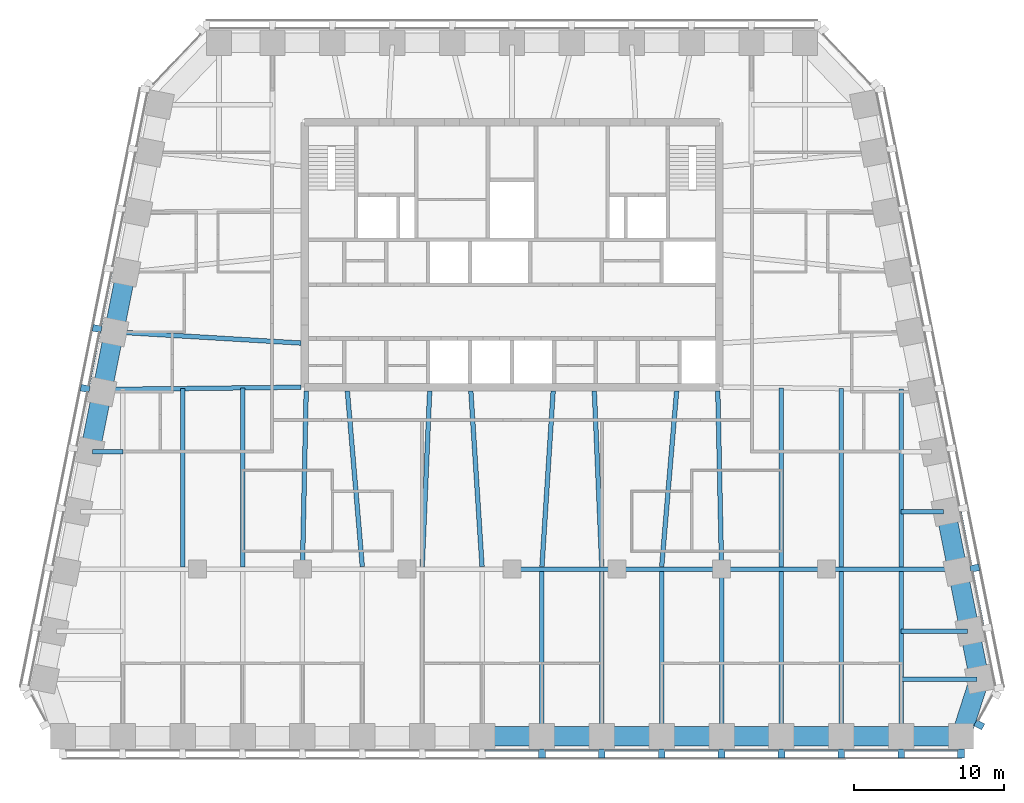
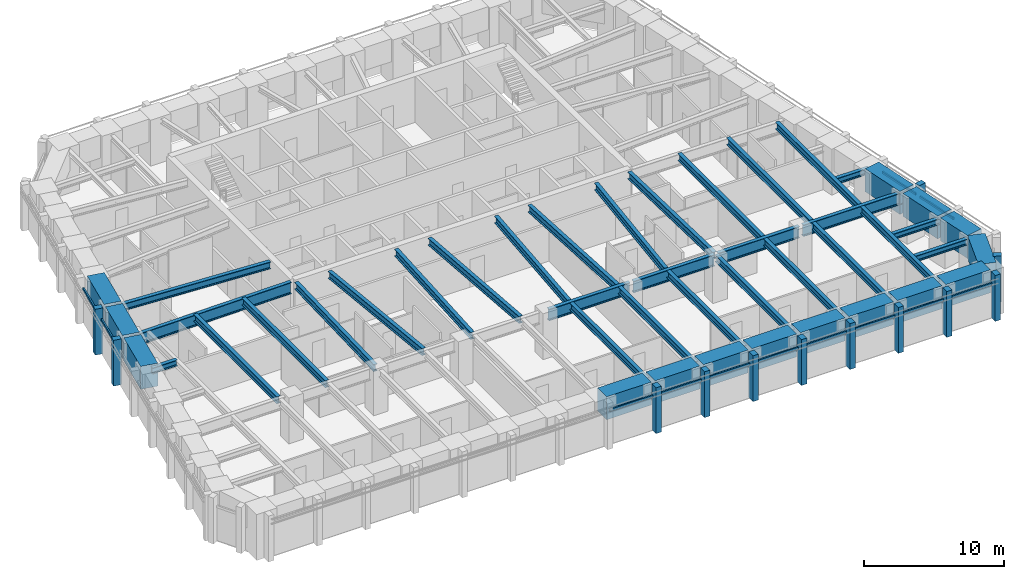
# One storey, part 2 of 11: 45 beams, 24 members, 4 elements without a shape of their own.
"""IFC4 building model written with IfcOpenShell, lengths in metres."""

from ifc_helpers import new_model, si_unit, direction, frame, origin, origin_2d, place, context, subcontext, project, spatial, rectangle, i_section, extrude, material, material_profile, profile_set, type_object, element, aggregate, save


model = new_model("IFC4")

# Units and contexts
model_context = context("Model", 3, precision=1e-05, world=origin(), true_north=direction((0.0, 1.0)))
body_context = subcontext(model_context, "Body", "Model", "MODEL_VIEW")
ifc_project = project(units=[si_unit("LENGTHUNIT", "METRE"), si_unit("AREAUNIT", "SQUARE_METRE"), si_unit("VOLUMEUNIT", "CUBIC_METRE"), si_unit("PLANEANGLEUNIT", "RADIAN"), si_unit("MASSUNIT", "GRAM", prefix="KILO")], contexts=[model_context])

# Site, building, storey
site_placement = place(None, origin())
site = spatial("IfcSite", under=ifc_project, at=site_placement, CompositionType="ELEMENT")
building_placement = place(site_placement, origin())
building = spatial("IfcBuilding", under=site, at=building_placement, Name="Isbrekke Arena Tower", CompositionType="ELEMENT")
storey_placement = place(building_placement, frame((0.0, 0.0, 248.0)))
storey = spatial("IfcBuildingStorey", under=building, at=storey_placement, Name="L57", CompositionType="ELEMENT", Elevation=248.0)

# Beams
ifc_material_1 = material(Name="Steel S355", Category="steel")
ifc_material_profile_1 = material_profile(ifc_material_1, i_section(OverallWidth=0.304931640625, OverallDepth=0.6201171875, WebThickness=0.02099609375, FlangeThickness=0.0400390625, FilletRadius=0.027099609375, at=origin_2d()), Name="HEM 600")
ifc_profile_set_1 = profile_set([ifc_material_profile_1], Name="Steel S355")
beam_type_1 = type_object("IfcBeamType", Name="B4 HEM 600", PredefinedType="BEAM", material=ifc_profile_set_1)
for number, where, z_axis, x_axis, name in (
    (1, (2.0, -17.02490234375, 3.5400390625), (0.0, 1.0, 0.0), (-1.0, 0.0, 0.0), "B4 beam S-S09 L57"),
    (2, (6.0, -17.02490234375, 3.5400390625), (0.0, 1.0, 0.0), (-1.0, 0.0, 0.0), "B4 beam S-S10 L57"),
    (3, (10.0, -17.02490234375, 3.5400390625), (0.0, 1.0, 0.0), (-1.0, 0.0, 0.0), "B4 beam S-S11 L57"),
):
    element("IfcBeam", number, at=place(storey_placement, frame(where, z_axis=z_axis, x_axis=x_axis)), inside=storey, type_object=beam_type_1, Name=name, PredefinedType="BEAM", context=body_context, shape_type="SweptSolid", body=[
        extrude(i_section(OverallWidth=0.304931640625, OverallDepth=0.6201171875, WebThickness=0.02099609375, FlangeThickness=0.0400390625, FilletRadius=0.027099609375, at=origin_2d()), origin(), (0.0, 0.0, 1.0), 10.8740234375),
    ])
beam_1_placement = place(storey_placement, frame((14.0, -17.02490234375, 3.5400390625), z_axis=(0.0, 1.0, 0.0), x_axis=(-1.0, 0.0, 0.0)))
element("IfcBeam", 4, at=beam_1_placement, inside=storey, type_object=beam_type_1, Name="B4 beam S-S12 L57", PredefinedType="BEAM", context=body_context, shape_type="SweptSolid", body=[
    extrude(i_section(OverallWidth=0.304931640625, OverallDepth=0.6201171875, WebThickness=0.02099609375, FlangeThickness=0.0400390625, FilletRadius=0.027099609375, at=origin_2d()), origin(), (0.0, 0.0, 1.0), 10.875),
])
for number, where, z_axis, x_axis, name in (
    (5, (18.0, -17.02490234375, 3.5400390625), (0.0, 1.0, 0.0), (-1.0, 0.0, 0.0), "B4 beam S-S13 L57"),
    (6, (22.0, -17.02490234375, 3.5400390625), (0.0, 1.0, 0.0), (-1.0, 0.0, 0.0), "B4 beam S-S14 L57"),
    (7, (26.0, -17.02490234375, 3.5400390625), (0.0, 1.0, 0.0), (-1.0, 0.0, 0.0), "B4 beam S-S15 L57"),
):
    element("IfcBeam", number, at=place(storey_placement, frame(where, z_axis=z_axis, x_axis=x_axis)), inside=storey, type_object=beam_type_1, Name=name, PredefinedType="BEAM", context=body_context, shape_type="SweptSolid", body=[
        extrude(i_section(OverallWidth=0.304931640625, OverallDepth=0.6201171875, WebThickness=0.02099609375, FlangeThickness=0.0400390625, FilletRadius=0.027099609375, at=origin_2d()), origin(), (0.0, 0.0, 1.0), 10.8740234375),
    ])
beam_2_placement = place(storey_placement, frame((-22.0, -5.84912109375, 3.5400390625), z_axis=(0.0, 1.0, 0.0), x_axis=(-1.0, 0.0, 0.0)))
element("IfcBeam", 8, at=beam_2_placement, inside=storey, type_object=beam_type_1, Name="B4 beam C-M02 L57", PredefinedType="BEAM", context=body_context, shape_type="SweptSolid", body=[
    extrude(i_section(OverallWidth=0.304931640625, OverallDepth=0.6201171875, WebThickness=0.02099609375, FlangeThickness=0.0400390625, FilletRadius=0.027099609375, at=origin_2d()), origin(), (0.0, 0.0, 1.0), 11.909912109375),
])
beam_3_placement = place(storey_placement, frame((-18.0, -5.84912109375, 3.5400390625), z_axis=(0.0, 1.0, 0.0), x_axis=(-1.0, 0.0, 0.0)))
element("IfcBeam", 9, at=beam_3_placement, inside=storey, type_object=beam_type_1, Name="B4 beam C-M03 L57", PredefinedType="BEAM", context=body_context, shape_type="SweptSolid", body=[
    extrude(i_section(OverallWidth=0.304931640625, OverallDepth=0.6201171875, WebThickness=0.02099609375, FlangeThickness=0.0400390625, FilletRadius=0.027099609375, at=origin_2d()), origin(), (0.0, 0.0, 1.0), 11.955078125),
])
beam_4_placement = place(storey_placement, frame((-14.0, -5.8466796875, 3.5400390625), z_axis=(0.021277968258, 0.999773598405, 0.0), x_axis=(-0.999773598405, 0.021277968258, 0.0)))
element("IfcBeam", 10, at=beam_4_placement, inside=storey, type_object=beam_type_1, Name="B4 beam C-M04 L57", PredefinedType="BEAM", context=body_context, shape_type="SweptSolid", body=[
    extrude(i_section(OverallWidth=0.304931640625, OverallDepth=0.6201171875, WebThickness=0.02099609375, FlangeThickness=0.0400390625, FilletRadius=0.027099609375, at=origin_2d()), origin(), (0.0, 0.0, 1.0), 11.749267578125),
])
beam_5_placement = place(storey_placement, frame((-10.0009765625, -5.836181640625, 3.5400390625), z_axis=(-0.084817344046, 0.996396516528, 0.0), x_axis=(-0.996396516528, -0.084817344046, 0.0)))
element("IfcBeam", 11, at=beam_5_placement, inside=storey, type_object=beam_type_1, Name="B4 beam C-M05 L57", PredefinedType="BEAM", context=body_context, shape_type="SweptSolid", body=[
    extrude(i_section(OverallWidth=0.304931640625, OverallDepth=0.6201171875, WebThickness=0.02099609375, FlangeThickness=0.0400390625, FilletRadius=0.027099609375, at=origin_2d()), origin(), (0.0, 0.0, 1.0), 11.778564453125),
])
beam_6_placement = place(storey_placement, frame((-5.999755859375, -5.842529296875, 3.5400390625), z_axis=(0.042521334166, 0.999095559064, 0.0), x_axis=(-0.999095559064, 0.042521334166, 0.0)))
element("IfcBeam", 12, at=beam_6_placement, inside=storey, type_object=beam_type_1, Name="B4 beam C-M06 L57", PredefinedType="BEAM", context=body_context, shape_type="SweptSolid", body=[
    extrude(i_section(OverallWidth=0.304931640625, OverallDepth=0.6201171875, WebThickness=0.02099609375, FlangeThickness=0.0400390625, FilletRadius=0.027099609375, at=origin_2d()), origin(), (0.0, 0.0, 1.0), 11.753173828125),
])
for number, where, z_axis, x_axis, name in (
    (13, (-2.000732421875, -5.83935546875, 3.5400390625), (-0.063696196046, 0.997969335506, 0.0), (-0.997969335506, -0.063696196046, 0.0), "B4 beam C-M07 L57"),
    (14, (2.000732421875, -5.83935546875, 3.5400390625), (0.063696196046, 0.997969335506, 0.0), (-0.997969335506, 0.063696196046, 0.0), "B4 beam C-M08 L57"),
):
    element("IfcBeam", number, at=place(storey_placement, frame(where, z_axis=z_axis, x_axis=x_axis)), inside=storey, type_object=beam_type_1, Name=name, PredefinedType="BEAM", context=body_context, shape_type="SweptSolid", body=[
        extrude(i_section(OverallWidth=0.304931640625, OverallDepth=0.6201171875, WebThickness=0.02099609375, FlangeThickness=0.0400390625, FilletRadius=0.027099609375, at=origin_2d()), origin(), (0.0, 0.0, 1.0), 11.76318359375),
    ])
beam_7_placement = place(storey_placement, frame((5.999755859375, -5.842529296875, 3.5400390625), z_axis=(-0.042521334166, 0.999095559064, 0.0), x_axis=(-0.999095559064, -0.042521334166, 0.0)))
element("IfcBeam", 15, at=beam_7_placement, inside=storey, type_object=beam_type_1, Name="B4 beam C-M09 L57", PredefinedType="BEAM", context=body_context, shape_type="SweptSolid", body=[
    extrude(i_section(OverallWidth=0.304931640625, OverallDepth=0.6201171875, WebThickness=0.02099609375, FlangeThickness=0.0400390625, FilletRadius=0.027099609375, at=origin_2d()), origin(), (0.0, 0.0, 1.0), 11.753173828125),
])
beam_8_placement = place(storey_placement, frame((10.0009765625, -5.836181640625, 3.5400390625), z_axis=(0.084817344046, 0.996396516528, 0.0), x_axis=(-0.996396516528, 0.084817344046, 0.0)))
element("IfcBeam", 16, at=beam_8_placement, inside=storey, type_object=beam_type_1, Name="B4 beam C-M10 L57", PredefinedType="BEAM", context=body_context, shape_type="SweptSolid", body=[
    extrude(i_section(OverallWidth=0.304931640625, OverallDepth=0.6201171875, WebThickness=0.02099609375, FlangeThickness=0.0400390625, FilletRadius=0.027099609375, at=origin_2d()), origin(), (0.0, 0.0, 1.0), 11.778564453125),
])
beam_9_placement = place(storey_placement, frame((14.0, -5.8466796875, 3.5400390625), z_axis=(-0.021277968258, 0.999773598405, 0.0), x_axis=(-0.999773598405, -0.021277968258, 0.0)))
element("IfcBeam", 17, at=beam_9_placement, inside=storey, type_object=beam_type_1, Name="B4 beam C-M11 L57", PredefinedType="BEAM", context=body_context, shape_type="SweptSolid", body=[
    extrude(i_section(OverallWidth=0.304931640625, OverallDepth=0.6201171875, WebThickness=0.02099609375, FlangeThickness=0.0400390625, FilletRadius=0.027099609375, at=origin_2d()), origin(), (0.0, 0.0, 1.0), 11.749267578125),
])
beam_10_placement = place(storey_placement, frame((18.0, -5.84912109375, 3.5400390625), z_axis=(0.0, 1.0, 0.0), x_axis=(-1.0, 0.0, 0.0)))
element("IfcBeam", 18, at=beam_10_placement, inside=storey, type_object=beam_type_1, Name="B4 beam C-M12 L57", PredefinedType="BEAM", context=body_context, shape_type="SweptSolid", body=[
    extrude(i_section(OverallWidth=0.304931640625, OverallDepth=0.6201171875, WebThickness=0.02099609375, FlangeThickness=0.0400390625, FilletRadius=0.027099609375, at=origin_2d()), origin(), (0.0, 0.0, 1.0), 11.955078125),
])
beam_11_placement = place(storey_placement, frame((22.0, -5.84912109375, 3.5400390625), z_axis=(0.0, 1.0, 0.0), x_axis=(-1.0, 0.0, 0.0)))
element("IfcBeam", 19, at=beam_11_placement, inside=storey, type_object=beam_type_1, Name="B4 beam C-M13 L57", PredefinedType="BEAM", context=body_context, shape_type="SweptSolid", body=[
    extrude(i_section(OverallWidth=0.304931640625, OverallDepth=0.6201171875, WebThickness=0.02099609375, FlangeThickness=0.0400390625, FilletRadius=0.027099609375, at=origin_2d()), origin(), (0.0, 0.0, 1.0), 11.909912109375),
])
beam_12_placement = place(storey_placement, frame((26.0, -5.84912109375, 3.5400390625), z_axis=(0.0, 1.0, 0.0), x_axis=(-1.0, 0.0, 0.0)))
element("IfcBeam", 20, at=beam_12_placement, inside=storey, type_object=beam_type_1, Name="B4 beam C-M14 L57", PredefinedType="BEAM", context=body_context, shape_type="SweptSolid", body=[
    extrude(i_section(OverallWidth=0.304931640625, OverallDepth=0.6201171875, WebThickness=0.02099609375, FlangeThickness=0.0400390625, FilletRadius=0.027099609375, at=origin_2d()), origin(), (0.0, 0.0, 1.0), 11.86474609375),
])
beam_13_placement = place(storey_placement, frame((-26.431884765625, 9.837646484375, 3.5400390625), z_axis=(0.998216240514, -0.059702070095, 0.0), x_axis=(0.059702070095, 0.998216240514, 0.0)))
element("IfcBeam", 21, at=beam_13_placement, inside=storey, type_object=beam_type_1, Name="B4 beam E-W05 L57", PredefinedType="BEAM", context=body_context, shape_type="SweptSolid", body=[
    extrude(i_section(OverallWidth=0.304931640625, OverallDepth=0.6201171875, WebThickness=0.02099609375, FlangeThickness=0.0400390625, FilletRadius=0.027099609375, at=origin_2d()), origin(), (0.0, 0.0, 1.0), 12.353759765625),
])
ifc_material_2 = material(Name="Steel S355", Category="steel")
ifc_material_profile_2 = material_profile(ifc_material_2, i_section(OverallWidth=0.305908203125, OverallDepth=0.52392578125, WebThickness=0.02099609375, FlangeThickness=0.0400390625, FilletRadius=0.027099609375, at=origin_2d()), Name="HEM 500")
ifc_profile_set_2 = profile_set([ifc_material_profile_2], Name="Steel S355")
beam_type_2 = type_object("IfcBeamType", Name="B5 HEM 500", PredefinedType="BEAM", material=ifc_profile_set_2)
beam_14_placement = place(storey_placement, frame((31.079345703125, -13.352783203125, 3.587890625), z_axis=(-1.0, 0.0, 0.0), x_axis=(0.0, -1.0, 0.0)))
element("IfcBeam", 22, at=beam_14_placement, inside=storey, type_object=beam_type_2, Name="B5 beam E-E01 L57", PredefinedType="BEAM", context=body_context, shape_type="SweptSolid", body=[
    extrude(i_section(OverallWidth=0.305908203125, OverallDepth=0.52392578125, WebThickness=0.02099609375, FlangeThickness=0.0400390625, FilletRadius=0.027099609375, at=origin_2d()), origin(), (0.0, 0.0, 1.0), 5.079345703125),
])
beam_15_placement = place(storey_placement, frame((30.44091796875, -10.161865234375, 3.587890625), z_axis=(-1.0, 0.0, 0.0), x_axis=(0.0, -1.0, 0.0)))
element("IfcBeam", 23, at=beam_15_placement, inside=storey, type_object=beam_type_2, Name="B5 beam E-E02 L57", PredefinedType="BEAM", context=body_context, shape_type="SweptSolid", body=[
    extrude(i_section(OverallWidth=0.305908203125, OverallDepth=0.52392578125, WebThickness=0.02099609375, FlangeThickness=0.0400390625, FilletRadius=0.027099609375, at=origin_2d()), origin(), (0.0, 0.0, 1.0), 4.44091796875),
])
beam_16_placement = place(storey_placement, frame((28.841064453125, -2.161865234375, 3.587890625), z_axis=(-1.0, 0.0, 0.0), x_axis=(0.0, -1.0, 0.0)))
element("IfcBeam", 24, at=beam_16_placement, inside=storey, type_object=beam_type_2, Name="B5 beam E-E04 L57", PredefinedType="BEAM", context=body_context, shape_type="SweptSolid", body=[
    extrude(i_section(OverallWidth=0.305908203125, OverallDepth=0.52392578125, WebThickness=0.02099609375, FlangeThickness=0.0400390625, FilletRadius=0.027099609375, at=origin_2d()), origin(), (0.0, 0.0, 1.0), 2.841064453125),
])
beam_17_placement = place(storey_placement, frame((-28.041015625, 1.838134765625, 3.587890625), z_axis=(1.0, 0.0, 0.0), x_axis=(0.0, 1.0, 0.0)))
element("IfcBeam", 25, at=beam_17_placement, inside=storey, type_object=beam_type_2, Name="B5 beam E-W07 L57", PredefinedType="BEAM", context=body_context, shape_type="SweptSolid", body=[
    extrude(i_section(OverallWidth=0.305908203125, OverallDepth=0.52392578125, WebThickness=0.02099609375, FlangeThickness=0.0400390625, FilletRadius=0.027099609375, at=origin_2d()), origin(), (0.0, 0.0, 1.0), 2.041015625),
])

# Curtain wall, members
ifc_material_3 = material(Name="Glazed aluminium curtain wall", Category="aluminium")
curtain_wall_type = type_object("IfcCurtainWallType", Name="CWT TOWER CURTAIN WALL TOP ZONE", PredefinedType="USERDEFINED", material=ifc_material_3)
curtain_wall_1_placement = place(storey_placement, origin())
curtain_wall_1 = element("IfcCurtainWall", 26, at=curtain_wall_1_placement, inside=storey, type_object=curtain_wall_type, Name="CWT curtain wall L57-S", ObjectType="TOWER CURTAIN WALL TOP ZONE", PredefinedType="USERDEFINED")
ifc_material_4 = material(Name="Copper-clad aluminium mullion", Category="aluminium")
ifc_material_profile_3 = material_profile(ifc_material_4, rectangle(XDim=0.449951171875, YDim=0.60009765625, at=origin_2d()), Name="PIER 450X600")
ifc_profile_set_3 = profile_set([ifc_material_profile_3], Name="Copper-clad aluminium mullion")
member_type_1 = type_object("IfcMemberType", Name="CWT-M PIER MULLION 450 x 600", PredefinedType="MULLION", material=ifc_profile_set_3)
member_1_placement = place(storey_placement, frame((2.0, -18.324951171875, 0.0), z_axis=(0.0, 0.0, 1.0), x_axis=(1.0, 0.0, 0.0)))
member_1 = element("IfcMember", 27, at=member_1_placement, type_object=member_type_1, Name="CWT-M mullion 9", PredefinedType="MULLION", context=body_context, shape_type="SweptSolid", body=[
    extrude(rectangle(XDim=0.449951171875, YDim=0.60009765625, at=origin_2d()), origin(), (0.0, 0.0, 1.0), 4.0),
])
member_2_placement = place(storey_placement, frame((6.0, -18.324951171875, 0.0), z_axis=(0.0, 0.0, 1.0), x_axis=(1.0, 0.0, 0.0)))
member_2 = element("IfcMember", 28, at=member_2_placement, type_object=member_type_1, Name="CWT-M mullion 10", PredefinedType="MULLION", context=body_context, shape_type="SweptSolid", body=[
    extrude(rectangle(XDim=0.449951171875, YDim=0.60009765625, at=origin_2d()), origin(), (0.0, 0.0, 1.0), 4.0),
])
member_3_placement = place(storey_placement, frame((10.0, -18.324951171875, 0.0), z_axis=(0.0, 0.0, 1.0), x_axis=(1.0, 0.0, 0.0)))
member_3 = element("IfcMember", 29, at=member_3_placement, type_object=member_type_1, Name="CWT-M mullion 11", PredefinedType="MULLION", context=body_context, shape_type="SweptSolid", body=[
    extrude(rectangle(XDim=0.449951171875, YDim=0.60009765625, at=origin_2d()), origin(), (0.0, 0.0, 1.0), 4.0),
])
member_4_placement = place(storey_placement, frame((14.0, -18.324951171875, 0.0), z_axis=(0.0, 0.0, 1.0), x_axis=(1.0, 0.0, 0.0)))
member_4 = element("IfcMember", 30, at=member_4_placement, type_object=member_type_1, Name="CWT-M mullion 12", PredefinedType="MULLION", context=body_context, shape_type="SweptSolid", body=[
    extrude(rectangle(XDim=0.449951171875, YDim=0.60009765625, at=origin_2d()), origin(), (0.0, 0.0, 1.0), 4.0),
])
member_5_placement = place(storey_placement, frame((18.0, -18.324951171875, 0.0), z_axis=(0.0, 0.0, 1.0), x_axis=(1.0, 0.0, 0.0)))
member_5 = element("IfcMember", 31, at=member_5_placement, type_object=member_type_1, Name="CWT-M mullion 13", PredefinedType="MULLION", context=body_context, shape_type="SweptSolid", body=[
    extrude(rectangle(XDim=0.449951171875, YDim=0.60009765625, at=origin_2d()), origin(), (0.0, 0.0, 1.0), 4.0),
])
member_6_placement = place(storey_placement, frame((22.0, -18.324951171875, 0.0), z_axis=(0.0, 0.0, 1.0), x_axis=(1.0, 0.0, 0.0)))
member_6 = element("IfcMember", 32, at=member_6_placement, type_object=member_type_1, Name="CWT-M mullion 14", PredefinedType="MULLION", context=body_context, shape_type="SweptSolid", body=[
    extrude(rectangle(XDim=0.449951171875, YDim=0.60009765625, at=origin_2d()), origin(), (0.0, 0.0, 1.0), 4.0),
])
member_7_placement = place(storey_placement, frame((26.0, -18.324951171875, 0.0), z_axis=(0.0, 0.0, 1.0), x_axis=(1.0, 0.0, 0.0)))
member_7 = element("IfcMember", 33, at=member_7_placement, type_object=member_type_1, Name="CWT-M mullion 15", PredefinedType="MULLION", context=body_context, shape_type="SweptSolid", body=[
    extrude(rectangle(XDim=0.449951171875, YDim=0.60009765625, at=origin_2d()), origin(), (0.0, 0.0, 1.0), 4.0),
])
member_8_placement = place(storey_placement, frame((30.0, -18.324951171875, 0.0), z_axis=(0.0, 0.0, 1.0), x_axis=(1.0, 0.0, 0.0)))
member_8 = element("IfcMember", 34, at=member_8_placement, type_object=member_type_1, Name="CWT-M mullion 16", PredefinedType="MULLION", context=body_context, shape_type="SweptSolid", body=[
    extrude(rectangle(XDim=0.449951171875, YDim=0.60009765625, at=origin_2d()), origin(), (0.0, 0.0, 1.0), 4.0),
])

# Curtain wall, member
curtain_wall_2_placement = place(storey_placement, origin())
curtain_wall_2 = element("IfcCurtainWall", 35, at=curtain_wall_2_placement, inside=storey, type_object=curtain_wall_type, Name="CWT curtain wall L57-SE", ObjectType="TOWER CURTAIN WALL TOP ZONE", PredefinedType="USERDEFINED")
member_9_placement = place(storey_placement, frame((31.218994140625, -16.406005859375, 0.0), z_axis=(0.0, 0.0, 1.0), x_axis=(0.481918749773, 0.876215908676, 0.0)))
member_9 = element("IfcMember", 36, at=member_9_placement, type_object=member_type_1, Name="CWT-M mullion 1", PredefinedType="MULLION", context=body_context, shape_type="SweptSolid", body=[
    extrude(rectangle(XDim=0.449951171875, YDim=0.60009765625, at=origin_2d()), origin(), (0.0, 0.0, 1.0), 4.0),
])
aggregate(curtain_wall_2, [member_9])

curtain_wall_3_placement = place(storey_placement, origin())
curtain_wall_3 = element("IfcCurtainWall", 37, at=curtain_wall_3_placement, inside=storey, type_object=curtain_wall_type, Name="CWT curtain wall L57-E", ObjectType="TOWER CURTAIN WALL TOP ZONE", PredefinedType="USERDEFINED")
member_10_placement = place(storey_placement, frame((30.918701171875, -5.936279296875, 0.0), z_axis=(0.0, 0.0, 1.0), x_axis=(-0.196116135138, 0.980580675691, 0.0)))
member_10 = element("IfcMember", 38, at=member_10_placement, type_object=member_type_1, Name="CWT-M mullion 3", PredefinedType="MULLION", context=body_context, shape_type="SweptSolid", body=[
    extrude(rectangle(XDim=0.449951171875, YDim=0.60009765625, at=origin_2d()), origin(), (0.0, 0.0, 1.0), 4.0),
])

# Curtain wall, members
curtain_wall_4_placement = place(storey_placement, origin())
curtain_wall_4 = element("IfcCurtainWall", 39, at=curtain_wall_4_placement, inside=storey, type_object=curtain_wall_type, Name="CWT curtain wall L57-W", ObjectType="TOWER CURTAIN WALL TOP ZONE", PredefinedType="USERDEFINED")
member_11_placement = place(storey_placement, frame((-27.71875, 10.063720703125, 0.0), z_axis=(0.0, 0.0, 1.0), x_axis=(-0.196116135138, -0.980580675691, 0.0)))
member_11 = element("IfcMember", 40, at=member_11_placement, type_object=member_type_1, Name="CWT-M mullion 5", PredefinedType="MULLION", context=body_context, shape_type="SweptSolid", body=[
    extrude(rectangle(XDim=0.449951171875, YDim=0.60009765625, at=origin_2d()), origin(), (0.0, 0.0, 1.0), 4.0),
])
member_12_placement = place(storey_placement, frame((-28.518798828125, 6.063720703125, 0.0), z_axis=(0.0, 0.0, 1.0), x_axis=(-0.196116135138, -0.980580675691, 0.0)))
member_12 = element("IfcMember", 41, at=member_12_placement, type_object=member_type_1, Name="CWT-M mullion 6", PredefinedType="MULLION", context=body_context, shape_type="SweptSolid", body=[
    extrude(rectangle(XDim=0.449951171875, YDim=0.60009765625, at=origin_2d()), origin(), (0.0, 0.0, 1.0), 4.0),
])

# Member
ifc_material_5 = material(Name="Aluminium transom", Category="aluminium")
ifc_material_profile_4 = material_profile(ifc_material_5, rectangle(XDim=0.1201171875, YDim=0.199951171875, at=origin_2d()), Name="TRANSOM 120X200")
ifc_profile_set_4 = profile_set([ifc_material_profile_4], Name="Aluminium transom")
member_type_2 = type_object("IfcMemberType", Name="CWT-T TRANSOM 120 x 200", PredefinedType="USERDEFINED", material=ifc_profile_set_4)
member_13_placement = place(storey_placement, frame((-1.77490234375, -18.125, 3.0), z_axis=(1.0, 0.0, 0.0), x_axis=(0.0, 1.0, 0.0)))
member_13 = element("IfcMember", 42, at=member_13_placement, type_object=member_type_2, Name="CWT-T transom 8", ObjectType="TRANSOM", PredefinedType="USERDEFINED", context=body_context, shape_type="SweptSolid", body=[
    extrude(rectangle(XDim=0.1201171875, YDim=0.199951171875, at=origin_2d()), origin(), (0.0, 0.0, 1.0), 3.5498046875),
])

member_14_placement = place(storey_placement, frame((2.22509765625, -18.125, 3.0), z_axis=(1.0, 0.0, 0.0), x_axis=(0.0, 1.0, 0.0)))
member_14 = element("IfcMember", 43, at=member_14_placement, type_object=member_type_2, Name="CWT-T transom 9", ObjectType="TRANSOM", PredefinedType="USERDEFINED", context=body_context, shape_type="SweptSolid", body=[
    extrude(rectangle(XDim=0.1201171875, YDim=0.199951171875, at=origin_2d()), origin(), (0.0, 0.0, 1.0), 3.5498046875),
])

member_15_placement = place(storey_placement, frame((6.22509765625, -18.125, 3.0), z_axis=(1.0, 0.0, 0.0), x_axis=(0.0, 1.0, 0.0)))
member_15 = element("IfcMember", 44, at=member_15_placement, type_object=member_type_2, Name="CWT-T transom 10", ObjectType="TRANSOM", PredefinedType="USERDEFINED", context=body_context, shape_type="SweptSolid", body=[
    extrude(rectangle(XDim=0.1201171875, YDim=0.199951171875, at=origin_2d()), origin(), (0.0, 0.0, 1.0), 3.5498046875),
])

member_16_placement = place(storey_placement, frame((10.22509765625, -18.125, 3.0), z_axis=(1.0, 0.0, 0.0), x_axis=(0.0, 1.0, 0.0)))
member_16 = element("IfcMember", 45, at=member_16_placement, type_object=member_type_2, Name="CWT-T transom 11", ObjectType="TRANSOM", PredefinedType="USERDEFINED", context=body_context, shape_type="SweptSolid", body=[
    extrude(rectangle(XDim=0.1201171875, YDim=0.199951171875, at=origin_2d()), origin(), (0.0, 0.0, 1.0), 3.5498046875),
])

member_17_placement = place(storey_placement, frame((14.22509765625, -18.125, 3.0), z_axis=(1.0, 0.0, 0.0), x_axis=(0.0, 1.0, 0.0)))
member_17 = element("IfcMember", 46, at=member_17_placement, type_object=member_type_2, Name="CWT-T transom 12", ObjectType="TRANSOM", PredefinedType="USERDEFINED", context=body_context, shape_type="SweptSolid", body=[
    extrude(rectangle(XDim=0.1201171875, YDim=0.199951171875, at=origin_2d()), origin(), (0.0, 0.0, 1.0), 3.5498046875),
])

member_18_placement = place(storey_placement, frame((18.22509765625, -18.125, 3.0), z_axis=(1.0, 0.0, 0.0), x_axis=(0.0, 1.0, 0.0)))
member_18 = element("IfcMember", 47, at=member_18_placement, type_object=member_type_2, Name="CWT-T transom 13", ObjectType="TRANSOM", PredefinedType="USERDEFINED", context=body_context, shape_type="SweptSolid", body=[
    extrude(rectangle(XDim=0.1201171875, YDim=0.199951171875, at=origin_2d()), origin(), (0.0, 0.0, 1.0), 3.5498046875),
])

member_19_placement = place(storey_placement, frame((22.22509765625, -18.125, 3.0), z_axis=(1.0, 0.0, 0.0), x_axis=(0.0, 1.0, 0.0)))
member_19 = element("IfcMember", 48, at=member_19_placement, type_object=member_type_2, Name="CWT-T transom 14", ObjectType="TRANSOM", PredefinedType="USERDEFINED", context=body_context, shape_type="SweptSolid", body=[
    extrude(rectangle(XDim=0.1201171875, YDim=0.199951171875, at=origin_2d()), origin(), (0.0, 0.0, 1.0), 3.5498046875),
])

member_20_placement = place(storey_placement, frame((26.22509765625, -18.125, 3.0), z_axis=(1.0, 0.0, 0.0), x_axis=(0.0, 1.0, 0.0)))
member_20 = element("IfcMember", 49, at=member_20_placement, type_object=member_type_2, Name="CWT-T transom 15", ObjectType="TRANSOM", PredefinedType="USERDEFINED", context=body_context, shape_type="SweptSolid", body=[
    extrude(rectangle(XDim=0.1201171875, YDim=0.199951171875, at=origin_2d()), origin(), (0.0, 0.0, 1.0), 3.5498046875),
])

aggregate(curtain_wall_1, [member_1, member_2, member_3, member_4, member_5, member_6, member_7, member_8, member_13, member_14, member_15, member_16, member_17, member_18, member_19, member_20])

member_21_placement = place(storey_placement, frame((31.478515625, -9.7548828125, 3.0), z_axis=(-0.196154943734, 0.980572913173, 0.0), x_axis=(-0.980572913173, -0.196154943734, 0.0)))
member_21 = element("IfcMember", 50, at=member_21_placement, type_object=member_type_2, Name="CWT-T transom 2", ObjectType="TRANSOM", PredefinedType="USERDEFINED", context=body_context, shape_type="SweptSolid", body=[
    extrude(rectangle(XDim=0.1201171875, YDim=0.199951171875, at=origin_2d()), origin(), (0.0, 0.0, 1.0), 3.62939453125),
])

member_22_placement = place(storey_placement, frame((30.678466796875, -5.7548828125, 3.0), z_axis=(-0.196090262229, 0.980585849918, 0.0), x_axis=(-0.980585849918, -0.196090262229, 0.0)))
member_22 = element("IfcMember", 51, at=member_22_placement, type_object=member_type_2, Name="CWT-T transom 3", ObjectType="TRANSOM", PredefinedType="USERDEFINED", context=body_context, shape_type="SweptSolid", body=[
    extrude(rectangle(XDim=0.1201171875, YDim=0.199951171875, at=origin_2d()), origin(), (0.0, 0.0, 1.0), 3.62939453125),
])

aggregate(curtain_wall_3, [member_10, member_21, member_22])

member_23_placement = place(storey_placement, frame((-26.7666015625, 13.803955078125, 3.0), z_axis=(-0.196154943734, -0.980572913173, 0.0), x_axis=(0.980572913173, -0.196154943734, 0.0)))
member_23 = element("IfcMember", 52, at=member_23_placement, type_object=member_type_2, Name="CWT-T transom 4", ObjectType="TRANSOM", PredefinedType="USERDEFINED", context=body_context, shape_type="SweptSolid", body=[
    extrude(rectangle(XDim=0.1201171875, YDim=0.199951171875, at=origin_2d()), origin(), (0.0, 0.0, 1.0), 3.62939453125),
])

member_24_placement = place(storey_placement, frame((-27.566650390625, 9.803955078125, 3.0), z_axis=(-0.196154943734, -0.980572913173, 0.0), x_axis=(0.980572913173, -0.196154943734, 0.0)))
member_24 = element("IfcMember", 53, at=member_24_placement, type_object=member_type_2, Name="CWT-T transom 5", ObjectType="TRANSOM", PredefinedType="USERDEFINED", context=body_context, shape_type="SweptSolid", body=[
    extrude(rectangle(XDim=0.1201171875, YDim=0.199951171875, at=origin_2d()), origin(), (0.0, 0.0, 1.0), 3.62939453125),
])

aggregate(curtain_wall_4, [member_11, member_12, member_23, member_24])

# Beams
ifc_material_6 = material(Name="Steel S355", Category="steel")
ifc_material_profile_5 = material_profile(ifc_material_6, i_section(OverallWidth=0.302001953125, OverallDepth=1.008056640625, WebThickness=0.02099609375, FlangeThickness=0.0400390625, FilletRadius=0.030029296875, at=origin_2d()), Name="HEM 1000")
ifc_profile_set_5 = profile_set([ifc_material_profile_5], Name="Steel S355")
beam_type_3 = type_object("IfcBeamType", Name="G1 HEM 1000", PredefinedType="BEAM", material=ifc_profile_set_5)
for number, where, z_axis, x_axis, name in (
    (54, (0.14990234375, -6.0, 3.345947265625), (1.0, 0.0, 0.0), (0.0, 1.0, 0.0), "G1 beam G1-05 L57"),
    (55, (7.14990234375, -6.0, 3.345947265625), (1.0, 0.0, 0.0), (0.0, 1.0, 0.0), "G1 beam G1-06 L57"),
    (56, (14.14990234375, -6.0, 3.345947265625), (1.0, 0.0, 0.0), (0.0, 1.0, 0.0), "G1 beam G1-07 L57"),
):
    element("IfcBeam", number, at=place(storey_placement, frame(where, z_axis=z_axis, x_axis=x_axis)), inside=storey, type_object=beam_type_3, Name=name, PredefinedType="BEAM", context=body_context, shape_type="SweptSolid", body=[
        extrude(i_section(OverallWidth=0.302001953125, OverallDepth=1.008056640625, WebThickness=0.02099609375, FlangeThickness=0.0400390625, FilletRadius=0.030029296875, at=origin_2d()), origin(), (0.0, 0.0, 1.0), 6.7001953125),
    ])
beam_18_placement = place(storey_placement, frame((21.14990234375, -6.0, 3.345947265625), z_axis=(1.0, 0.0, 0.0), x_axis=(0.0, 1.0, 0.0)))
element("IfcBeam", 57, at=beam_18_placement, inside=storey, type_object=beam_type_3, Name="G1 beam G1-08 L57", PredefinedType="BEAM", context=body_context, shape_type="SweptSolid", body=[
    extrude(i_section(OverallWidth=0.302001953125, OverallDepth=1.008056640625, WebThickness=0.02099609375, FlangeThickness=0.0400390625, FilletRadius=0.030029296875, at=origin_2d()), origin(), (0.0, 0.0, 1.0), 8.64111328125),
])
ifc_material_7 = material(Name="Steel S355", Category="steel")
ifc_material_profile_6 = material_profile(ifc_material_7, i_section(OverallWidth=0.302001953125, OverallDepth=1.008056640625, WebThickness=0.02099609375, FlangeThickness=0.0400390625, FilletRadius=0.030029296875, at=origin_2d()), Name="HEM 1000")
ifc_profile_set_6 = profile_set([ifc_material_profile_6], Name="Steel S355")
beam_type_4 = type_object("IfcBeamType", Name="G2 HEM 1000", PredefinedType="BEAM", material=ifc_profile_set_6)
beam_19_placement = place(storey_placement, frame((-14.10009765625, 6.14990234375, 3.345947265625), z_axis=(-0.999936387749, -0.011279204565, 0.0), x_axis=(0.011279204565, -0.999936387749, 0.0)))
element("IfcBeam", 58, at=beam_19_placement, inside=storey, type_object=beam_type_4, Name="G2 beam G2-W L57", PredefinedType="BEAM", context=body_context, shape_type="SweptSolid", body=[
    extrude(i_section(OverallWidth=0.302001953125, OverallDepth=1.008056640625, WebThickness=0.02099609375, FlangeThickness=0.0400390625, FilletRadius=0.030029296875, at=origin_2d()), origin(), (0.0, 0.0, 1.0), 13.2900390625),
])
ifc_material_8 = material(Name="Concrete B55 (C55/67)", Category="concrete")
ifc_material_profile_7 = material_profile(ifc_material_8, rectangle(XDim=1.300048828125, YDim=2.0, at=origin_2d()), Name="RC 1300x2000")
ifc_profile_set_7 = profile_set([ifc_material_profile_7], Name="Concrete B55 (C55/67)")
beam_type_5 = type_object("IfcBeamType", Name="SB4 RC 1300 x 2000", PredefinedType="SPANDREL", material=ifc_profile_set_7)
for number, where, z_axis, x_axis, name in (
    (59, (-1.85009765625, -17.175048828125, 3.0), (1.0, 0.0, 0.0), (0.0, 1.0, 0.0), "SB4 spandrel S08-S09 L57"),
    (60, (2.14990234375, -17.175048828125, 3.0), (1.0, 0.0, 0.0), (0.0, 1.0, 0.0), "SB4 spandrel S09-S10 L57"),
    (61, (6.14990234375, -17.175048828125, 3.0), (1.0, 0.0, 0.0), (0.0, 1.0, 0.0), "SB4 spandrel S10-S11 L57"),
    (62, (10.14990234375, -17.175048828125, 3.0), (1.0, 0.0, 0.0), (0.0, 1.0, 0.0), "SB4 spandrel S11-S12 L57"),
    (63, (14.14990234375, -17.175048828125, 3.0), (1.0, 0.0, 0.0), (0.0, 1.0, 0.0), "SB4 spandrel S12-S13 L57"),
    (64, (18.14990234375, -17.175048828125, 3.0), (1.0, 0.0, 0.0), (0.0, 1.0, 0.0), "SB4 spandrel S13-S14 L57"),
    (65, (22.14990234375, -17.175048828125, 3.0), (1.0, 0.0, 0.0), (0.0, 1.0, 0.0), "SB4 spandrel S14-S15 L57"),
    (66, (26.14990234375, -17.175048828125, 3.0), (1.0, 0.0, 0.0), (0.0, 1.0, 0.0), "SB4 spandrel S15-S16 L57"),
):
    element("IfcBeam", number, at=place(storey_placement, frame(where, z_axis=z_axis, x_axis=x_axis)), inside=storey, type_object=beam_type_5, Name=name, PredefinedType="SPANDREL", context=body_context, shape_type="SweptSolid", body=[
        extrude(rectangle(XDim=1.300048828125, YDim=2.0, at=origin_2d()), origin(), (0.0, 0.0, 1.0), 3.7001953125),
    ])
beam_20_placement = place(storey_placement, frame((30.0458984375, -17.0322265625, 3.0), z_axis=(0.306175101476, 0.951975213562, 0.0), x_axis=(-0.951975213562, 0.306175101476, 0.0)))
element("IfcBeam", 67, at=beam_20_placement, inside=storey, type_object=beam_type_5, Name="SB4 spandrel S16-E01 L57", PredefinedType="SPANDREL", context=body_context, shape_type="SweptSolid", body=[
    extrude(rectangle(XDim=1.300048828125, YDim=2.0, at=origin_2d()), origin(), (0.0, 0.0, 1.0), 3.715087890625),
])
beam_21_placement = place(storey_placement, frame((31.19970703125, -13.205810546875, 3.0), z_axis=(-0.196100243168, 0.980583853951, 0.0), x_axis=(-0.980583853951, -0.196100243168, 0.0)))
element("IfcBeam", 68, at=beam_21_placement, inside=storey, type_object=beam_type_5, Name="SB4 spandrel E01-E02 L57", PredefinedType="SPANDREL", context=body_context, shape_type="SweptSolid", body=[
    extrude(rectangle(XDim=1.300048828125, YDim=2.0, at=origin_2d()), origin(), (0.0, 0.0, 1.0), 2.954345703125),
])
beam_22_placement = place(storey_placement, frame((30.5615234375, -10.0146484375, 3.0), z_axis=(-0.1960664412, 0.980590613169, 0.0), x_axis=(-0.980590613169, -0.1960664412, 0.0)))
element("IfcBeam", 69, at=beam_22_placement, inside=storey, type_object=beam_type_5, Name="SB4 spandrel E02-E03 L57", PredefinedType="SPANDREL", context=body_context, shape_type="SweptSolid", body=[
    extrude(rectangle(XDim=1.300048828125, YDim=2.0, at=origin_2d()), origin(), (0.0, 0.0, 1.0), 3.779052734375),
])
beam_23_placement = place(storey_placement, frame((29.76171875, -6.0146484375, 3.0), z_axis=(-0.196128558387, 0.980578190959, 0.0), x_axis=(-0.980578190959, -0.196128558387, 0.0)))
element("IfcBeam", 70, at=beam_23_placement, inside=storey, type_object=beam_type_5, Name="SB4 spandrel E03-E04 L57", PredefinedType="SPANDREL", context=body_context, shape_type="SweptSolid", body=[
    extrude(rectangle(XDim=1.300048828125, YDim=2.0, at=origin_2d()), origin(), (0.0, 0.0, 1.0), 3.779296875),
])
beam_24_placement = place(storey_placement, frame((-25.820556640625, 13.691162109375, 3.0), z_axis=(-0.1960664412, -0.980590613169, 0.0), x_axis=(0.980590613169, -0.1960664412, 0.0)))
element("IfcBeam", 71, at=beam_24_placement, inside=storey, type_object=beam_type_5, Name="SB4 spandrel W04-W05 L57", PredefinedType="SPANDREL", context=body_context, shape_type="SweptSolid", body=[
    extrude(rectangle(XDim=1.300048828125, YDim=2.0, at=origin_2d()), origin(), (0.0, 0.0, 1.0), 3.779052734375),
])
for number, where, z_axis, x_axis, name in (
    (72, (-26.620361328125, 9.691162109375, 3.0), (-0.196128558387, -0.980578190959, 0.0), (0.980578190959, -0.196128558387, 0.0), "SB4 spandrel W05-W06 L57"),
    (73, (-27.42041015625, 5.691162109375, 3.0), (-0.196128558387, -0.980578190959, 0.0), (0.980578190959, -0.196128558387, 0.0), "SB4 spandrel W06-W07 L57"),
):
    element("IfcBeam", number, at=place(storey_placement, frame(where, z_axis=z_axis, x_axis=x_axis)), inside=storey, type_object=beam_type_5, Name=name, PredefinedType="SPANDREL", context=body_context, shape_type="SweptSolid", body=[
        extrude(rectangle(XDim=1.300048828125, YDim=2.0, at=origin_2d()), origin(), (0.0, 0.0, 1.0), 3.779296875),
    ])

save(model, "model.ifc")
